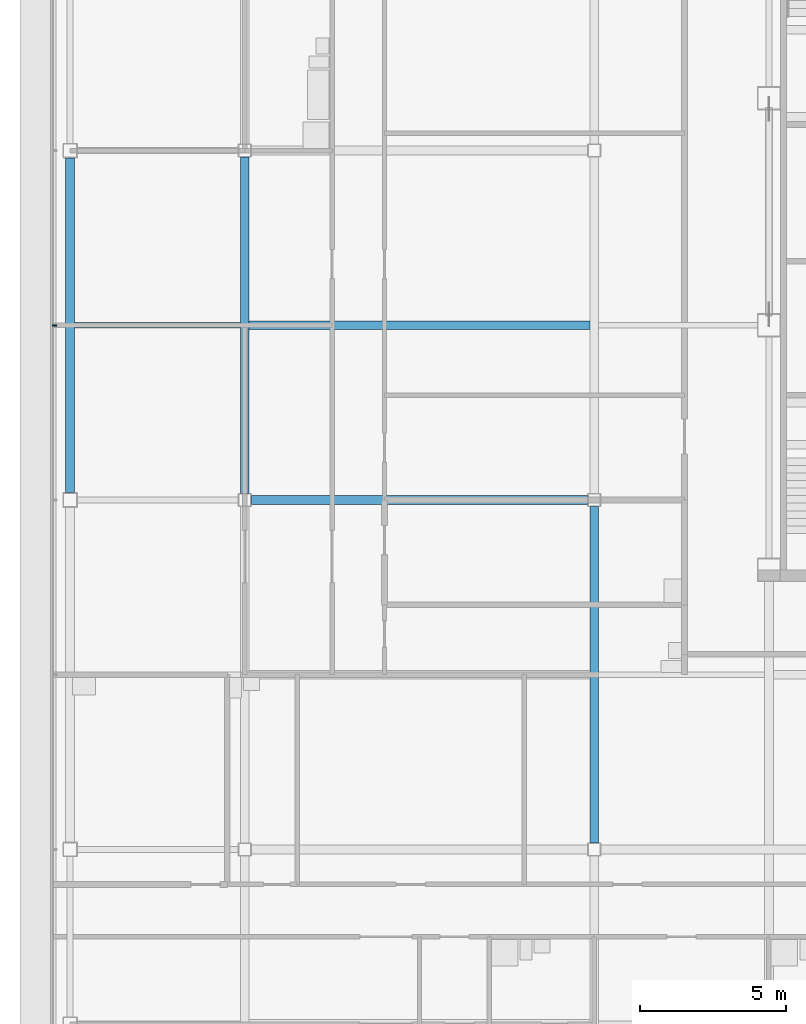
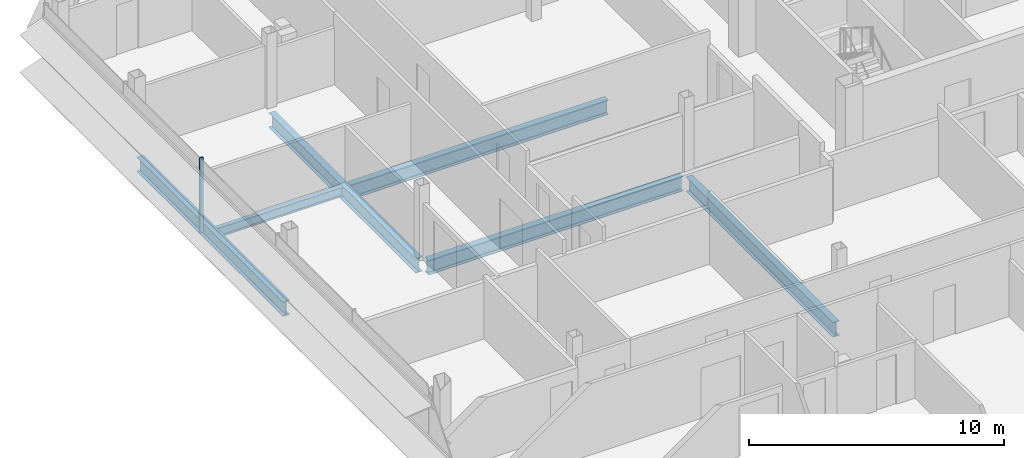
# One storey, part 8 of 28: 6 beams, 1 member, 1 element without a shape of its own.
"""IFC4 building model written with IfcOpenShell, lengths in metres."""

from ifc_helpers import new_model, si_unit, direction, frame, origin, origin_2d, place, context, subcontext, project, spatial, rectangle, i_section, extrude, material, material_profile, profile_set, type_object, element, aggregate, save


model = new_model("IFC4")

# Units and contexts
model_context = context("Model", 3, precision=1e-05, world=origin(), true_north=direction((0.0, 1.0)))
body_context = subcontext(model_context, "Body", "Model", "MODEL_VIEW")
ifc_project = project(units=[si_unit("LENGTHUNIT", "METRE"), si_unit("AREAUNIT", "SQUARE_METRE"), si_unit("VOLUMEUNIT", "CUBIC_METRE"), si_unit("PLANEANGLEUNIT", "RADIAN"), si_unit("MASSUNIT", "GRAM", prefix="KILO")], contexts=[model_context])

# Site, building, storey
site_placement = place(None, origin())
site = spatial("IfcSite", under=ifc_project, at=site_placement, CompositionType="ELEMENT")
building_placement = place(site_placement, origin())
building = spatial("IfcBuilding", under=site, at=building_placement, Name="Sorahane Residences", CompositionType="ELEMENT")
storey_placement = place(building_placement, frame((0.0, 0.0, 308.800048828125)))
storey = spatial("IfcBuildingStorey", under=building, at=storey_placement, Name="L73", CompositionType="ELEMENT", Elevation=308.800048828125)

# Curtain wall, member
ifc_material_1 = material(Name="Dark low-e glass and black anodised aluminium", Category="aluminium")
curtain_wall_type = type_object("IfcCurtainWallType", Name="Curtain wall CW-1 Typical unitised wall", PredefinedType="NOTDEFINED", material=ifc_material_1)
curtain_wall_placement = place(storey_placement, origin())
curtain_wall = element("IfcCurtainWall", 1, at=curtain_wall_placement, inside=storey, type_object=curtain_wall_type, Name="CW-1 curtain wall L73 W1", PredefinedType="NOTDEFINED")
ifc_material_2 = material(Name="Black anodised aluminium", Category="aluminium")
ifc_material_profile_1 = material_profile(ifc_material_2, rectangle(XDim=0.159912109375, YDim=0.050048828125, at=origin_2d()), Name="Curtain wall mullion CW-1 black anodised aluminium 50x160")
ifc_profile_set_1 = profile_set([ifc_material_profile_1], Name="Black anodised aluminium")
member_type = type_object("IfcMemberType", Name="Curtain wall mullion CW-1 black anodised aluminium 50x160", PredefinedType="MULLION", material=ifc_profile_set_1)
member_placement = place(storey_placement, frame((-18.5400390625, 30.0, -0.179931640625), z_axis=(0.0, 0.0, 1.0), x_axis=(-1.0, 0.0, 0.0)))
member = element("IfcMember", 2, at=member_placement, type_object=member_type, Name="CW-1 mullion L73 W1.3", PredefinedType="MULLION", context=body_context, shape_type="SweptSolid", body=[
    extrude(rectangle(XDim=0.159912109375, YDim=0.050048828125, at=origin_2d()), origin(), (0.0, 0.0, 1.0), 3.599853515625),
])
aggregate(curtain_wall, [member])

# Beams
ifc_material_3 = material(Name="Steel Q355B", Category="steel")
ifc_material_profile_2 = material_profile(ifc_material_3, i_section(OverallWidth=0.199951171875, OverallDepth=0.449951171875, WebThickness=0.009033203125, FlangeThickness=0.013916015625, FilletRadius=0.02001953125, at=origin_2d()), Name="HN 450x200x9x14")
ifc_profile_set_2 = profile_set([ifc_material_profile_2], Name="Steel Q355B")
beam_type_1 = type_object("IfcBeamType", Name="Steel floor beam HN 450x200x9x14 Q355B", PredefinedType="BEAM", material=ifc_profile_set_2)
beam_1_placement = place(storey_placement, frame((-17.85009765625, 30.0, -0.405029296875), z_axis=(1.0, 0.0, 0.0), x_axis=(0.0, 1.0, 0.0)))
element("IfcBeam", 3, at=beam_1_placement, inside=storey, type_object=beam_type_1, Name="Beam L73 083", PredefinedType="BEAM", context=body_context, shape_type="SweptSolid", body=[
    extrude(i_section(OverallWidth=0.199951171875, OverallDepth=0.449951171875, WebThickness=0.009033203125, FlangeThickness=0.013916015625, FilletRadius=0.02001953125, at=origin_2d()), origin(), (0.0, 0.0, 1.0), 5.7001953125),
])
ifc_material_4 = material(Name="Steel Q355B", Category="steel")
ifc_material_profile_3 = material_profile(ifc_material_4, i_section(OverallWidth=0.300048828125, OverallDepth=0.699951171875, WebThickness=0.012939453125, FlangeThickness=0.02392578125, FilletRadius=0.028076171875, at=origin_2d()), Name="HN 700x300x13x24")
ifc_profile_set_3 = profile_set([ifc_material_profile_3], Name="Steel Q355B")
beam_type_2 = type_object("IfcBeamType", Name="Steel floor beam HN 700x300x13x24 Q355B", PredefinedType="BEAM", material=ifc_profile_set_3)
beam_2_placement = place(storey_placement, frame((-11.77490234375, 24.0, -0.530029296875), z_axis=(1.0, 0.0, 0.0), x_axis=(0.0, 1.0, 0.0)))
element("IfcBeam", 4, at=beam_2_placement, inside=storey, type_object=beam_type_2, Name="Beam L73 012", PredefinedType="BEAM", context=body_context, shape_type="SweptSolid", body=[
    extrude(i_section(OverallWidth=0.300048828125, OverallDepth=0.699951171875, WebThickness=0.012939453125, FlangeThickness=0.02392578125, FilletRadius=0.028076171875, at=origin_2d()), origin(), (0.0, 0.0, 1.0), 11.5498046875),
])
beam_3_placement = place(storey_placement, frame((-18.0, 24.25, -0.530029296875), z_axis=(0.0, 1.0, 0.0), x_axis=(-1.0, 0.0, 0.0)))
element("IfcBeam", 5, at=beam_3_placement, inside=storey, type_object=beam_type_2, Name="Beam L73 022", PredefinedType="BEAM", context=body_context, shape_type="SweptSolid", body=[
    extrude(i_section(OverallWidth=0.300048828125, OverallDepth=0.699951171875, WebThickness=0.012939453125, FlangeThickness=0.02392578125, FilletRadius=0.028076171875, at=origin_2d()), origin(), (0.0, 0.0, 1.0), 11.5),
])
for number, where, z_axis, x_axis, name in (
    (6, (-12.0, 24.22509765625, -0.530029296875), (0.0, 1.0, 0.0), (-1.0, 0.0, 0.0), "Beam L73 026"),
    (7, (0.0, 12.22509765625, -0.530029296875), (0.0, 1.0, 0.0), (-1.0, 0.0, 0.0), "Beam L73 029"),
):
    element("IfcBeam", number, at=place(storey_placement, frame(where, z_axis=z_axis, x_axis=x_axis)), inside=storey, type_object=beam_type_2, Name=name, PredefinedType="BEAM", context=body_context, shape_type="SweptSolid", body=[
        extrude(i_section(OverallWidth=0.300048828125, OverallDepth=0.699951171875, WebThickness=0.012939453125, FlangeThickness=0.02392578125, FilletRadius=0.028076171875, at=origin_2d()), origin(), (0.0, 0.0, 1.0), 11.5498046875),
    ])
beam_4_placement = place(storey_placement, frame((-11.85009765625, 30.0, -0.530029296875), z_axis=(1.0, 0.0, 0.0), x_axis=(0.0, 1.0, 0.0)))
element("IfcBeam", 8, at=beam_4_placement, inside=storey, type_object=beam_type_2, Name="Beam L73 084", PredefinedType="BEAM", context=body_context, shape_type="SweptSolid", body=[
    extrude(i_section(OverallWidth=0.300048828125, OverallDepth=0.699951171875, WebThickness=0.012939453125, FlangeThickness=0.02392578125, FilletRadius=0.028076171875, at=origin_2d()), origin(), (0.0, 0.0, 1.0), 11.7001953125),
])

save(model, "model.ifc")
